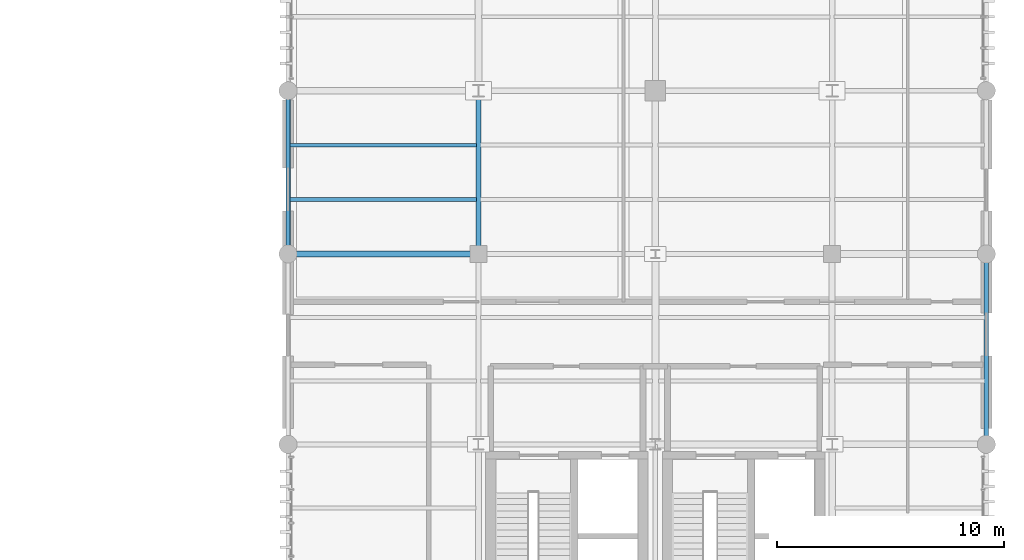
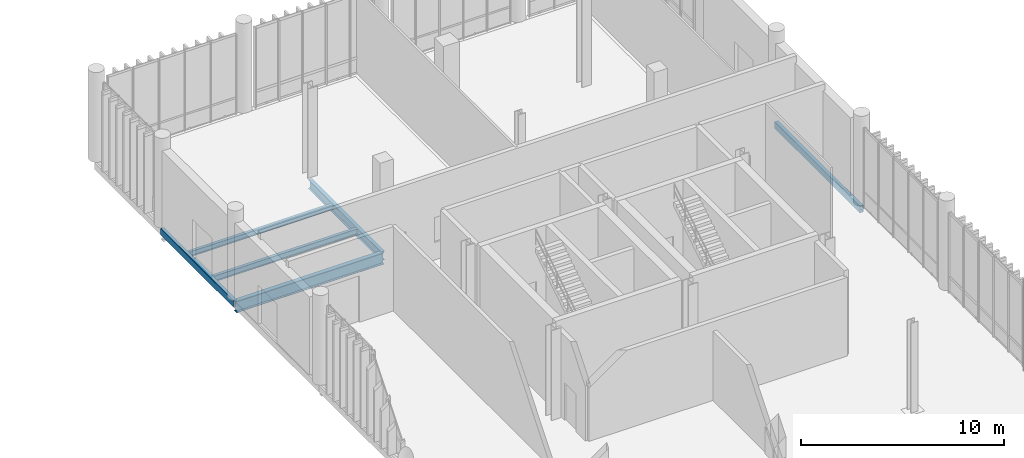
# One storey, part 69 of 112: 6 beams.
"""IFC4 building model written with IfcOpenShell, lengths in metres."""

from ifc_helpers import new_model, si_unit, direction, frame, origin_with_axes, origin_2d_with_axis, place, context, subcontext, project, spatial, hollow_rectangle, i_section, extrude, material, material_profile, profile_set, type_object, element, save


model = new_model("IFC4")

# Units and contexts
model_context = context("Model", 3, precision=1e-05, world=origin_with_axes(), true_north=direction((0.0, 1.0)))
body_context = subcontext(model_context, "Body", "Model", "MODEL_VIEW")
ifc_project = project(units=[si_unit("LENGTHUNIT", "METRE"), si_unit("AREAUNIT", "SQUARE_METRE"), si_unit("VOLUMEUNIT", "CUBIC_METRE"), si_unit("PLANEANGLEUNIT", "RADIAN"), si_unit("MASSUNIT", "GRAM", prefix="KILO"), si_unit("THERMODYNAMICTEMPERATUREUNIT", "KELVIN")], contexts=[model_context])

# Site, building, storey
site_placement = place(None, origin_with_axes())
site = spatial("IfcSite", under=ifc_project, at=site_placement, CompositionType="ELEMENT")
building_placement = place(site_placement, origin_with_axes())
building = spatial("IfcBuilding", under=site, at=building_placement, Name="Montbau Bow Law Courts", CompositionType="ELEMENT")
storey_placement = place(building_placement, origin_with_axes())
storey = spatial("IfcBuildingStorey", under=building, at=storey_placement, Name="L00", CompositionType="ELEMENT", Elevation=0.0)

# Beams
ifc_material_1 = material(Name="Steel CSA G40.21 Grade 350W (350 MPa)", Category="steel")
ifc_material_profile_1 = material_profile(ifc_material_1, i_section(OverallWidth=0.254, OverallDepth=0.688, WebThickness=0.0131, FlangeThickness=0.0211, at=origin_2d_with_axis()), Name="W690X152", Category="Main", Priority=0)
ifc_profile_set_1 = profile_set([ifc_material_profile_1], Name="Steel CSA G40.21 Grade 350W (350 MPa)")
beam_type_1 = type_object("IfcBeamType", Name="B-FLR-04", PredefinedType="BEAM", material=ifc_profile_set_1)
beam_1_placement = place(None, frame((138.6, 103.2, -0.604), z_axis=(1.0, 0.0, 0.0), x_axis=(0.0, 1.0, 0.0)))
element("IfcBeam", 1, at=beam_1_placement, inside=storey, type_object=beam_type_1, Name="BM-L00-S0419:bm2_0422", PredefinedType="BEAM", context=body_context, shape_type="SweptSolid", body=[
    extrude(i_section(OverallWidth=0.254, OverallDepth=0.688, WebThickness=0.0131, FlangeThickness=0.0211, at=origin_2d_with_axis()), origin_with_axes(), (0.0, 0.0, 1.0), 8.4),
])
ifc_material_profile_2 = material_profile(ifc_material_1, i_section(OverallWidth=0.21, OverallDepth=0.537, WebThickness=0.0109, FlangeThickness=0.0174, at=origin_2d_with_axis()), Name="W530X101", Category="Main", Priority=0)
ifc_profile_set_2 = profile_set([ifc_material_profile_2], Name="Steel CSA G40.21 Grade 350W (350 MPa)")
beam_type_2 = type_object("IfcBeamType", Name="B-FLR-06", PredefinedType="BEAM", material=ifc_profile_set_2)
beam_2_placement = place(None, frame((147.0, 103.2, -0.528), z_axis=(0.0, 1.0, 0.0), x_axis=(-1.0, 0.0, 0.0)))
element("IfcBeam", 2, at=beam_2_placement, inside=storey, type_object=beam_type_2, Name="BM-L00-S0443:bm2_0446", PredefinedType="BEAM", context=body_context, shape_type="SweptSolid", body=[
    extrude(i_section(OverallWidth=0.21, OverallDepth=0.537, WebThickness=0.0109, FlangeThickness=0.0174, at=origin_2d_with_axis()), origin_with_axes(), (0.0, 0.0, 1.0), 7.2),
])
ifc_material_profile_3 = material_profile(ifc_material_1, i_section(OverallWidth=0.172, OverallDepth=0.358, WebThickness=0.0079, FlangeThickness=0.0131, at=origin_2d_with_axis()), Name="W360X57", Category="Main", Priority=0)
ifc_profile_set_3 = profile_set([ifc_material_profile_3], Name="Steel CSA G40.21 Grade 350W (350 MPa)")
beam_type_3 = type_object("IfcBeamType", Name="B-JST-03", PredefinedType="JOIST", material=ifc_profile_set_3)
beam_3_placement = place(None, frame((138.68, 105.6, -0.439), z_axis=(1.0, 0.0, 0.0), x_axis=(0.0, 1.0, 0.0)))
element("IfcBeam", 3, at=beam_3_placement, inside=storey, type_object=beam_type_3, Name="JST-L00-S0190:jst2_0190", PredefinedType="JOIST", context=body_context, shape_type="SweptSolid", body=[
    extrude(i_section(OverallWidth=0.172, OverallDepth=0.358, WebThickness=0.0079, FlangeThickness=0.0131, at=origin_2d_with_axis()), origin_with_axes(), (0.0, 0.0, 1.0), 8.239),
])
ifc_material_profile_4 = material_profile(ifc_material_1, i_section(OverallWidth=0.166, OverallDepth=0.313, WebThickness=0.0066, FlangeThickness=0.0112, at=origin_2d_with_axis()), Name="W310X45", Category="Main", Priority=0)
ifc_profile_set_4 = profile_set([ifc_material_profile_4], Name="Steel CSA G40.21 Grade 350W (350 MPa)")
beam_type_4 = type_object("IfcBeamType", Name="B-JST-04", PredefinedType="JOIST", material=ifc_profile_set_4)
beam_4_placement = place(None, frame((138.68, 108.0, -0.416), z_axis=(1.0, 0.0, 0.0), x_axis=(0.0, 1.0, 0.0)))
element("IfcBeam", 4, at=beam_4_placement, inside=storey, type_object=beam_type_4, Name="JST-L00-S0191:jst2_0191", PredefinedType="JOIST", context=body_context, shape_type="SweptSolid", body=[
    extrude(i_section(OverallWidth=0.166, OverallDepth=0.313, WebThickness=0.0066, FlangeThickness=0.0112, at=origin_2d_with_axis()), origin_with_axes(), (0.0, 0.0, 1.0), 8.239),
])
ifc_material_2 = material(Name="Steel CSA G40.21 Grade 350WT (350 MPa)", Category="steel")
ifc_material_profile_5 = material_profile(ifc_material_2, hollow_rectangle(XDim=0.203, YDim=0.406, WallThickness=0.0127, InnerFilletRadius=0.0254, OuterFilletRadius=0.0127, at=origin_2d_with_axis()), Name="HSS406X203X13", Category="Main", Priority=0)
ifc_profile_set_5 = profile_set([ifc_material_profile_5], Name="Steel CSA G40.21 Grade 350WT (350 MPa)")
beam_type_5 = type_object("IfcBeamType", Name="B-SPN-01", PredefinedType="SPANDREL", material=ifc_profile_set_5)
beam_5_placement = place(None, frame((138.6, 103.2, -0.463), z_axis=(0.0, 1.0, 0.0), x_axis=(-1.0, 0.0, 0.0)))
element("IfcBeam", 5, at=beam_5_placement, inside=storey, type_object=beam_type_5, Name="SPN-L00-S0436:bm2_0439", PredefinedType="SPANDREL", context=body_context, shape_type="SweptSolid", body=[
    extrude(hollow_rectangle(XDim=0.203, YDim=0.406, WallThickness=0.0127, InnerFilletRadius=0.0254, OuterFilletRadius=0.0127, at=origin_2d_with_axis()), origin_with_axes(), (0.0, 0.0, 1.0), 7.2),
])
beam_6_placement = place(None, frame((169.4, 94.8, -0.463), z_axis=(0.0, 1.0, 0.0), x_axis=(-1.0, 0.0, 0.0)))
element("IfcBeam", 6, at=beam_6_placement, inside=storey, type_object=beam_type_5, Name="SPN-L00-S0463:bm2_0466", PredefinedType="SPANDREL", context=body_context, shape_type="SweptSolid", body=[
    extrude(hollow_rectangle(XDim=0.203, YDim=0.406, WallThickness=0.0127, InnerFilletRadius=0.0254, OuterFilletRadius=0.0127, at=origin_2d_with_axis()), origin_with_axes(), (0.0, 0.0, 1.0), 8.4),
])

save(model, "model.ifc")
